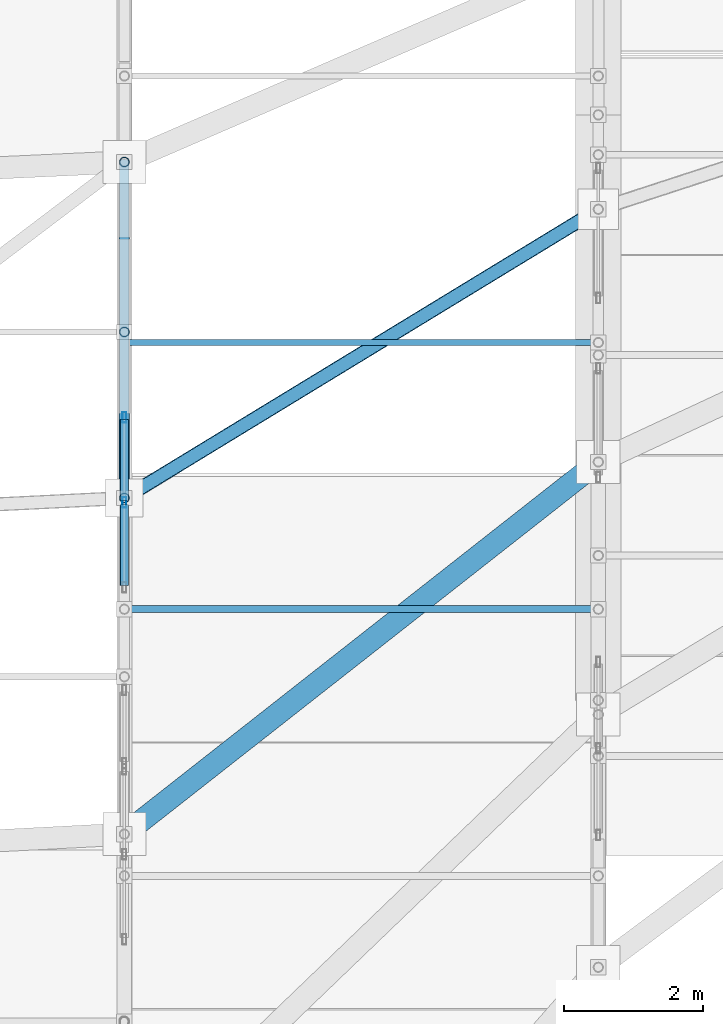
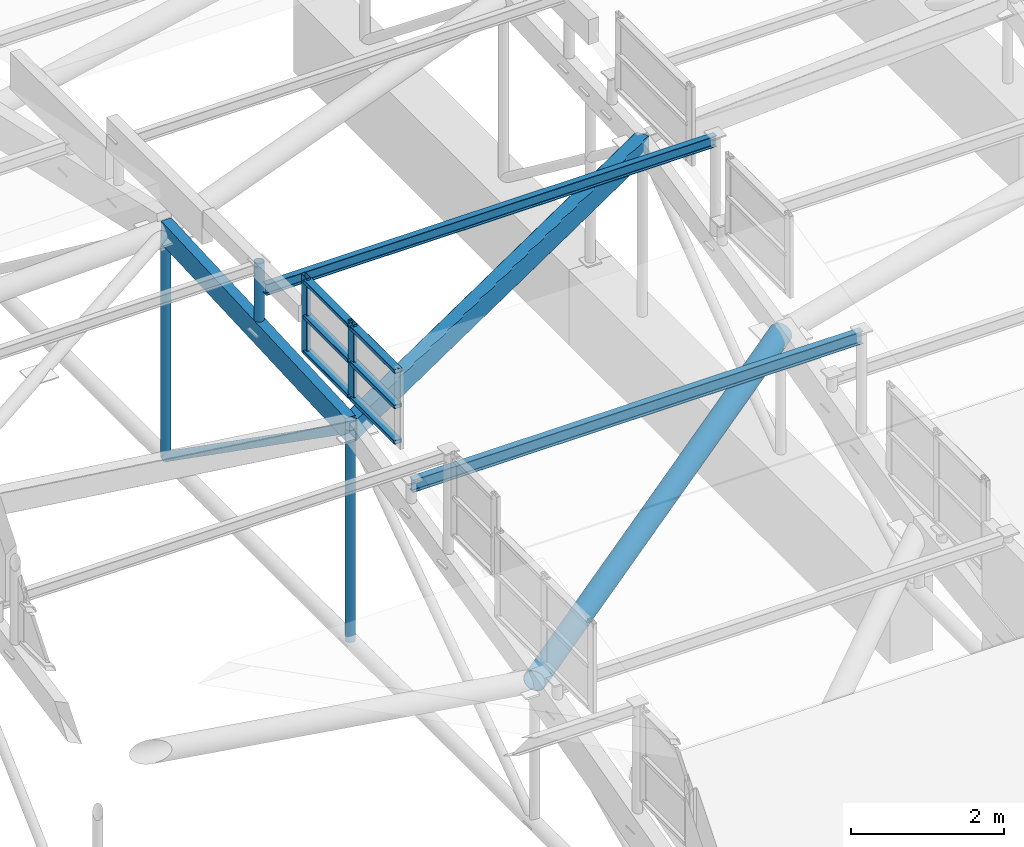
# One storey, part 92 of 188: 17 members, 1 element without a shape of its own.
"""IFC4 building model written with IfcOpenShell, lengths in metres."""

from ifc_helpers import new_model, si_unit, direction, frame, origin, origin_2d, place, context, subcontext, project, spatial, rectangle, hollow_rectangle, hollow_circle, i_section, extrude, material, layer, layer_set, material_profile, profile_set, type_object, element, aggregate, save


model = new_model("IFC4")

# Units and contexts
model_context = context("Model", 3, precision=1e-05, world=origin(), true_north=direction((0.0, 1.0)))
body_context = subcontext(model_context, "Body", "Model", "MODEL_VIEW")
ifc_project = project(units=[si_unit("LENGTHUNIT", "METRE"), si_unit("AREAUNIT", "SQUARE_METRE"), si_unit("VOLUMEUNIT", "CUBIC_METRE"), si_unit("PLANEANGLEUNIT", "RADIAN"), si_unit("MASSUNIT", "GRAM", prefix="KILO")], contexts=[model_context])

# Site, building, storey
site_placement = place(None, origin())
site = spatial("IfcSite", under=ifc_project, at=site_placement, CompositionType="ELEMENT")
building_placement = place(site_placement, origin())
building = spatial("IfcBuilding", under=site, at=building_placement, Name="Kisaragi Civic Commons", CompositionType="ELEMENT")
storey_placement = place(building_placement, frame((0.0, 0.0, 9.60009765625)))
storey = spatial("IfcBuildingStorey", under=building, at=storey_placement, Name="L02", CompositionType="ELEMENT", Elevation=9.60009765625)

# Curtain wall, members
ifc_material_1 = material(Name="Thermally broken anodized aluminium and low-E double glazing", Category="aluminium")
ifc_layer = layer(ifc_material_1, 0.14990234375, Name="Thermally broken anodized aluminium and low-E double glazing", Category="aluminium")
ifc_layer_set = layer_set([ifc_layer], Name="Thermally broken anodized aluminium and low-E double glazing")
curtain_wall_type = type_object("IfcCurtainWallType", Name="CW-03", PredefinedType="NOTDEFINED", material=ifc_layer_set)
curtain_wall_placement = place(storey_placement, origin())
curtain_wall = element("IfcCurtainWall", 1, at=curtain_wall_placement, inside=storey, type_object=curtain_wall_type, Name="L02 curtain wall CW-03 CW-CL-V2-206", PredefinedType="NOTDEFINED")
ifc_material_profile_1 = material_profile(ifc_material_1, hollow_rectangle(XDim=0.06005859375, YDim=0.14990234375, WallThickness=0.00390625, InnerFilletRadius=0.00390625, OuterFilletRadius=0.008056640625, at=origin_2d()), Name="CWM-60x150x4", Category="aluminium")
ifc_profile_set_1 = profile_set([ifc_material_profile_1], Name="Thermally broken anodized aluminium and low-E double glazing")
member_type_1 = type_object("IfcMemberType", Name="CWM-01", PredefinedType="MULLION", material=ifc_profile_set_1)
member_1_placement = place(storey_placement, frame((27.199951171875, 98.839599609375, 3.509521484375), z_axis=(0.0, 0.0, 1.0), x_axis=(-1.0, 0.0, 0.0)))
member_1 = element("IfcMember", 2, at=member_1_placement, type_object=member_type_1, Name="CW-03 mullion 2", PredefinedType="MULLION", context=body_context, shape_type="SweptSolid", body=[
    extrude(hollow_rectangle(XDim=0.06005859375, YDim=0.14990234375, WallThickness=0.00390625, InnerFilletRadius=0.00390625, OuterFilletRadius=0.008056640625, at=origin_2d()), origin(), (0.0, 0.0, 1.0), 1.25146484375),
])
member_2_placement = place(storey_placement, frame((27.199951171875, 100.060302734375, 3.509521484375), z_axis=(0.0, 0.0, 1.0), x_axis=(-1.0, 0.0, 0.0)))
member_2 = element("IfcMember", 3, at=member_2_placement, type_object=member_type_1, Name="CW-03 mullion 3", PredefinedType="MULLION", context=body_context, shape_type="SweptSolid", body=[
    extrude(hollow_rectangle(XDim=0.06005859375, YDim=0.14990234375, WallThickness=0.00390625, InnerFilletRadius=0.00390625, OuterFilletRadius=0.008056640625, at=origin_2d()), origin(), (0.0, 0.0, 1.0), 1.25146484375),
])
ifc_material_profile_2 = material_profile(ifc_material_1, hollow_rectangle(XDim=0.1201171875, YDim=0.06005859375, WallThickness=0.00390625, InnerFilletRadius=0.00390625, OuterFilletRadius=0.008056640625, at=origin_2d()), Name="CWT-60x120x4", Category="aluminium")
ifc_profile_set_2 = profile_set([ifc_material_profile_2], Name="Thermally broken anodized aluminium and low-E double glazing")
member_type_2 = type_object("IfcMemberType", Name="CWT-01", PredefinedType="USERDEFINED", material=ifc_profile_set_2)
member_3_placement = place(storey_placement, frame((27.199951171875, 97.649169921875, 3.569580078125), z_axis=(0.0, 1.0, 0.0), x_axis=(-1.0, 0.0, 0.0)))
member_3 = element("IfcMember", 4, at=member_3_placement, type_object=member_type_2, Name="CW-03 transom 1.1", ObjectType="TRANSOM", PredefinedType="USERDEFINED", context=body_context, shape_type="SweptSolid", body=[
    extrude(hollow_rectangle(XDim=0.1201171875, YDim=0.06005859375, WallThickness=0.00390625, InnerFilletRadius=0.00390625, OuterFilletRadius=0.008056640625, at=origin_2d()), origin(), (0.0, 0.0, 1.0), 1.16064453125),
])
member_4_placement = place(storey_placement, frame((27.199951171875, 97.649169921875, 4.13525390625), z_axis=(0.0, 1.0, 0.0), x_axis=(-1.0, 0.0, 0.0)))
member_4 = element("IfcMember", 5, at=member_4_placement, type_object=member_type_2, Name="CW-03 transom 1.2", ObjectType="TRANSOM", PredefinedType="USERDEFINED", context=body_context, shape_type="SweptSolid", body=[
    extrude(hollow_rectangle(XDim=0.1201171875, YDim=0.06005859375, WallThickness=0.00390625, InnerFilletRadius=0.00390625, OuterFilletRadius=0.008056640625, at=origin_2d()), origin(), (0.0, 0.0, 1.0), 1.16064453125),
])
member_5_placement = place(storey_placement, frame((27.199951171875, 97.649169921875, 4.700927734375), z_axis=(0.0, 1.0, 0.0), x_axis=(-1.0, 0.0, 0.0)))
member_5 = element("IfcMember", 6, at=member_5_placement, type_object=member_type_2, Name="CW-03 transom 1.3", ObjectType="TRANSOM", PredefinedType="USERDEFINED", context=body_context, shape_type="SweptSolid", body=[
    extrude(hollow_rectangle(XDim=0.1201171875, YDim=0.06005859375, WallThickness=0.00390625, InnerFilletRadius=0.00390625, OuterFilletRadius=0.008056640625, at=origin_2d()), origin(), (0.0, 0.0, 1.0), 1.16064453125),
])
member_6_placement = place(storey_placement, frame((27.199951171875, 98.86962890625, 3.569580078125), z_axis=(0.0, 1.0, 0.0), x_axis=(-1.0, 0.0, 0.0)))
member_6 = element("IfcMember", 7, at=member_6_placement, type_object=member_type_2, Name="CW-03 transom 2.1", ObjectType="TRANSOM", PredefinedType="USERDEFINED", context=body_context, shape_type="SweptSolid", body=[
    extrude(hollow_rectangle(XDim=0.1201171875, YDim=0.06005859375, WallThickness=0.00390625, InnerFilletRadius=0.00390625, OuterFilletRadius=0.008056640625, at=origin_2d()), origin(), (0.0, 0.0, 1.0), 1.16064453125),
])
member_7_placement = place(storey_placement, frame((27.199951171875, 98.86962890625, 4.13525390625), z_axis=(0.0, 1.0, 0.0), x_axis=(-1.0, 0.0, 0.0)))
member_7 = element("IfcMember", 8, at=member_7_placement, type_object=member_type_2, Name="CW-03 transom 2.2", ObjectType="TRANSOM", PredefinedType="USERDEFINED", context=body_context, shape_type="SweptSolid", body=[
    extrude(hollow_rectangle(XDim=0.1201171875, YDim=0.06005859375, WallThickness=0.00390625, InnerFilletRadius=0.00390625, OuterFilletRadius=0.008056640625, at=origin_2d()), origin(), (0.0, 0.0, 1.0), 1.16064453125),
])
member_8_placement = place(storey_placement, frame((27.199951171875, 98.86962890625, 4.700927734375), z_axis=(0.0, 1.0, 0.0), x_axis=(-1.0, 0.0, 0.0)))
member_8 = element("IfcMember", 9, at=member_8_placement, type_object=member_type_2, Name="CW-03 transom 2.3", ObjectType="TRANSOM", PredefinedType="USERDEFINED", context=body_context, shape_type="SweptSolid", body=[
    extrude(hollow_rectangle(XDim=0.1201171875, YDim=0.06005859375, WallThickness=0.00390625, InnerFilletRadius=0.00390625, OuterFilletRadius=0.008056640625, at=origin_2d()), origin(), (0.0, 0.0, 1.0), 1.16064453125),
])
aggregate(curtain_wall, [member_1, member_2, member_3, member_4, member_5, member_6, member_7, member_8])

# Members
ifc_material_2 = material(Name="Steel SN490 (SN490B)", Category="steel")
ifc_material_profile_3 = material_profile(ifc_material_2, hollow_circle(Radius=0.1591796875, WallThickness=0.01025390625, at=origin_2d()), Name="CHS-318.5x10.3", Category="steel")
ifc_profile_set_3 = profile_set([ifc_material_profile_3], Name="Steel SN490 (SN490B)")
member_type_3 = type_object("IfcMemberType", Name="GC-03", PredefinedType="CHORD", material=ifc_profile_set_3)
member_9_placement = place(storey_placement, frame((27.199951171875, 94.079833984375, 1.916259765625), z_axis=(0.786452181883, 0.617602002453, -0.007793085204), x_axis=(-0.617620757465, 0.786476064448, 0.0)))
element("IfcMember", 10, at=member_9_placement, inside=storey, type_object=member_type_3, Name="V2 wave gridshell chord GC-03 31", PredefinedType="CHORD", context=body_context, shape_type="SweptSolid", body=[
    extrude(hollow_circle(Radius=0.1591796875, WallThickness=0.01025390625, at=origin_2d()), origin(), (0.0, 0.0, 1.0), 8.646484375),
])
ifc_material_profile_4 = material_profile(ifc_material_2, hollow_rectangle(XDim=0.199951171875, YDim=0.35009765625, WallThickness=0.009033203125, InnerFilletRadius=0.009033203125, OuterFilletRadius=0.01806640625, at=origin_2d()), Name="STKR-350x200x9", Category="steel")
ifc_profile_set_4 = profile_set([ifc_material_profile_4], Name="Steel SN490 (SN490B)")
member_type_4 = type_object("IfcMemberType", Name="GC-04", PredefinedType="CHORD", material=ifc_profile_set_4)
member_10_placement = place(storey_placement, frame((27.199951171875, 98.901611328125, 3.02978515625), z_axis=(0.853003090893, 0.519770525927, -0.047162774566), x_axis=(-0.520349561967, 0.853953355495, 0.0)))
element("IfcMember", 11, at=member_10_placement, inside=storey, type_object=member_type_4, Name="V2 wave gridshell chord GC-04 32", PredefinedType="CHORD", context=body_context, shape_type="SweptSolid", body=[
    extrude(hollow_rectangle(XDim=0.199951171875, YDim=0.35009765625, WallThickness=0.009033203125, InnerFilletRadius=0.009033203125, OuterFilletRadius=0.01806640625, at=origin_2d()), origin(), (0.0, 0.0, 1.0), 7.971923828125),
])
ifc_material_3 = material(Name="Glulam E120-F330", Category="wood")
ifc_material_profile_5 = material_profile(ifc_material_3, rectangle(XDim=0.14990234375, YDim=0.360107421875, at=origin_2d()), Name="GL-150x360", Category="wood")
ifc_profile_set_5 = profile_set([ifc_material_profile_5], Name="Glulam E120-F330")
member_type_5 = type_object("IfcMemberType", Name="GR-06", PredefinedType="RAFTER", material=ifc_profile_set_5)
member_11_placement = place(storey_placement, frame((27.199951171875, 98.901611328125, 3.02978515625), z_axis=(0.0, 0.998869281681, 0.047541120242), x_axis=(-1.0, 0.0, 0.0)))
element("IfcMember", 12, at=member_11_placement, inside=storey, type_object=member_type_5, Name="V2 glulam arch rib GR-06 37", PredefinedType="RAFTER", context=body_context, shape_type="SweptSolid", body=[
    extrude(rectangle(XDim=0.14990234375, YDim=0.360107421875, at=origin_2d()), origin(), (0.0, 0.0, 1.0), 4.8271484375),
])
ifc_material_4 = material(Name="Steel SN400 (SN400B)", Category="steel")
ifc_material_profile_6 = material_profile(ifc_material_4, i_section(OverallWidth=0.10009765625, OverallDepth=0.199951171875, WebThickness=0.005615234375, FlangeThickness=0.008056640625, FilletRadius=0.008056640625, at=origin_2d()), Name="H-200x100x5.5x8", Category="steel")
ifc_profile_set_6 = profile_set([ifc_material_profile_6], Name="Steel SN400 (SN400B)")
member_type_6 = type_object("IfcMemberType", Name="PR-02", PredefinedType="PURLIN", material=ifc_profile_set_6)
member_12_placement = place(storey_placement, frame((27.199951171875, 97.30712890625, 3.08984375), z_axis=(1.0, 0.0, 0.0), x_axis=(0.0, 1.0, 0.0)))
element("IfcMember", 13, at=member_12_placement, inside=storey, type_object=member_type_6, Name="V2 wave vault steel purlin 35", PredefinedType="PURLIN", context=body_context, shape_type="SweptSolid", body=[
    extrude(i_section(OverallWidth=0.10009765625, OverallDepth=0.199951171875, WebThickness=0.005615234375, FlangeThickness=0.008056640625, FilletRadius=0.008056640625, at=origin_2d()), origin(), (0.0, 0.0, 1.0), 6.800048828125),
])
ifc_material_profile_7 = material_profile(ifc_material_4, i_section(OverallWidth=0.090087890625, OverallDepth=0.175048828125, WebThickness=0.0048828125, FlangeThickness=0.008056640625, FilletRadius=0.008056640625, at=origin_2d()), Name="H-175x90x5x8", Category="steel")
ifc_profile_set_7 = profile_set([ifc_material_profile_7], Name="Steel SN400 (SN400B)")
member_type_7 = type_object("IfcMemberType", Name="PR-03", PredefinedType="PURLIN", material=ifc_profile_set_7)
member_13_placement = place(storey_placement, frame((27.199951171875, 101.132568359375, 3.90185546875), z_axis=(1.0, 0.0, 0.0), x_axis=(0.0, 1.0, 0.0)))
element("IfcMember", 14, at=member_13_placement, inside=storey, type_object=member_type_7, Name="V2 wave vault steel purlin 36", PredefinedType="PURLIN", context=body_context, shape_type="SweptSolid", body=[
    extrude(i_section(OverallWidth=0.090087890625, OverallDepth=0.175048828125, WebThickness=0.0048828125, FlangeThickness=0.008056640625, FilletRadius=0.008056640625, at=origin_2d()), origin(), (0.0, 0.0, 1.0), 6.800048828125),
])
ifc_material_profile_8 = material_profile(ifc_material_2, hollow_circle(Radius=0.06982421875, WallThickness=0.006103515625, at=origin_2d()), Name="CHS-139.8x6.0", Category="steel")
ifc_profile_set_8 = profile_set([ifc_material_profile_8], Name="Steel SN490 (SN490B)")
member_type_8 = type_object("IfcMemberType", Name="ST-H1", PredefinedType="STRUT", material=ifc_profile_set_8)
member_14_placement = place(storey_placement, frame((27.199951171875, 98.901611328125, -0.353271484375), z_axis=(0.0, 0.0, 1.0), x_axis=(1.0, 0.0, 0.0)))
element("IfcMember", 15, at=member_14_placement, inside=storey, type_object=member_type_8, Name="V2 arch tie hanger strut 62", PredefinedType="STRUT", context=body_context, shape_type="SweptSolid", body=[
    extrude(hollow_circle(Radius=0.06982421875, WallThickness=0.006103515625, at=origin_2d()), origin(), (0.0, 0.0, 1.0), 3.383056640625),
])
member_15_placement = place(storey_placement, frame((27.199951171875, 103.723388671875, -0.353271484375), z_axis=(0.0, 0.0, 1.0), x_axis=(1.0, 0.0, 0.0)))
element("IfcMember", 16, at=member_15_placement, inside=storey, type_object=member_type_8, Name="V2 arch tie hanger strut 63", PredefinedType="STRUT", context=body_context, shape_type="SweptSolid", body=[
    extrude(hollow_circle(Radius=0.06982421875, WallThickness=0.006103515625, at=origin_2d()), origin(), (0.0, 0.0, 1.0), 3.612548828125),
])
member_16_placement = place(storey_placement, frame((27.199951171875, 103.723388671875, -0.353271484375), z_axis=(0.0, -0.818608318167, 0.574352175435), x_axis=(1.0, 0.0, 0.0)))
element("IfcMember", 17, at=member_16_placement, inside=storey, type_object=member_type_8, Name="V2 tied arch truss diagonal web strut 69", PredefinedType="STRUT", context=body_context, shape_type="SweptSolid", body=[
    extrude(hollow_circle(Radius=0.06982421875, WallThickness=0.006103515625, at=origin_2d()), origin(), (0.0, 0.0, 1.0), 5.89013671875),
])
member_17_placement = place(storey_placement, frame((27.199951171875, 101.285400390625, 3.135986328125), z_axis=(0.0, 0.0, 1.0), x_axis=(1.0, 0.0, 0.0)))
element("IfcMember", 18, at=member_17_placement, inside=storey, type_object=member_type_8, Name="V2 clerestory monitor horizontal tie strut 4.4.5", PredefinedType="STRUT", context=body_context, shape_type="SweptSolid", body=[
    extrude(hollow_circle(Radius=0.06982421875, WallThickness=0.006103515625, at=origin_2d()), origin(), (0.0, 0.0, 1.0), 1.113525390625),
])

save(model, "model.ifc")
